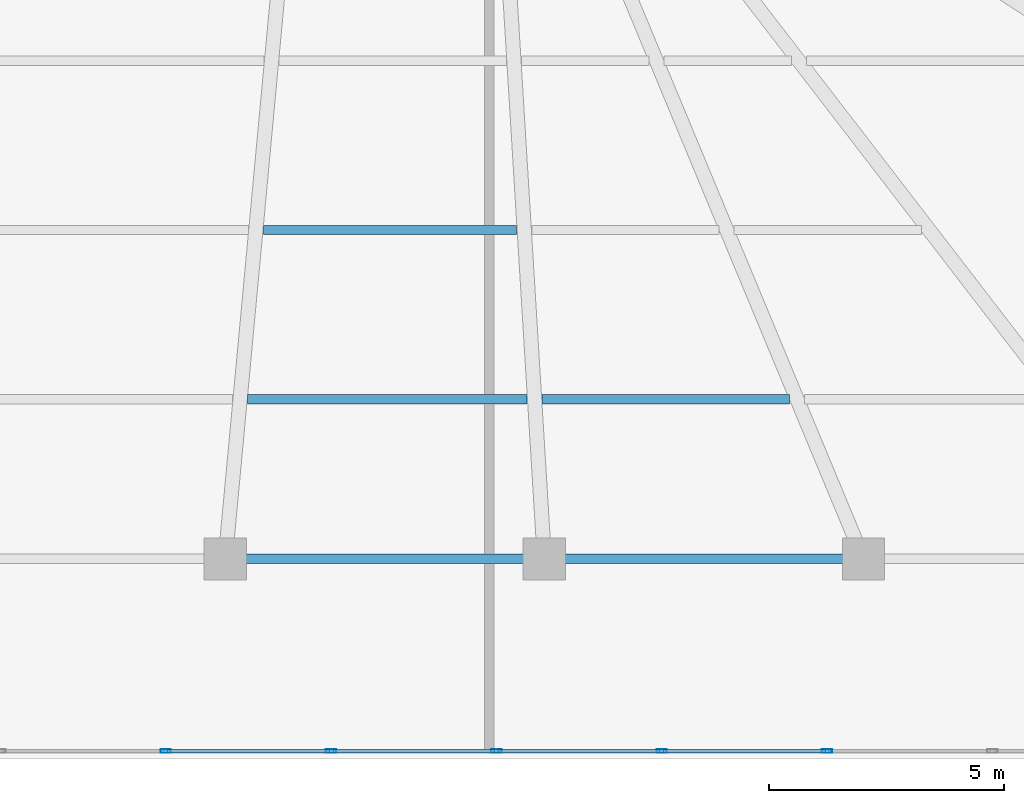
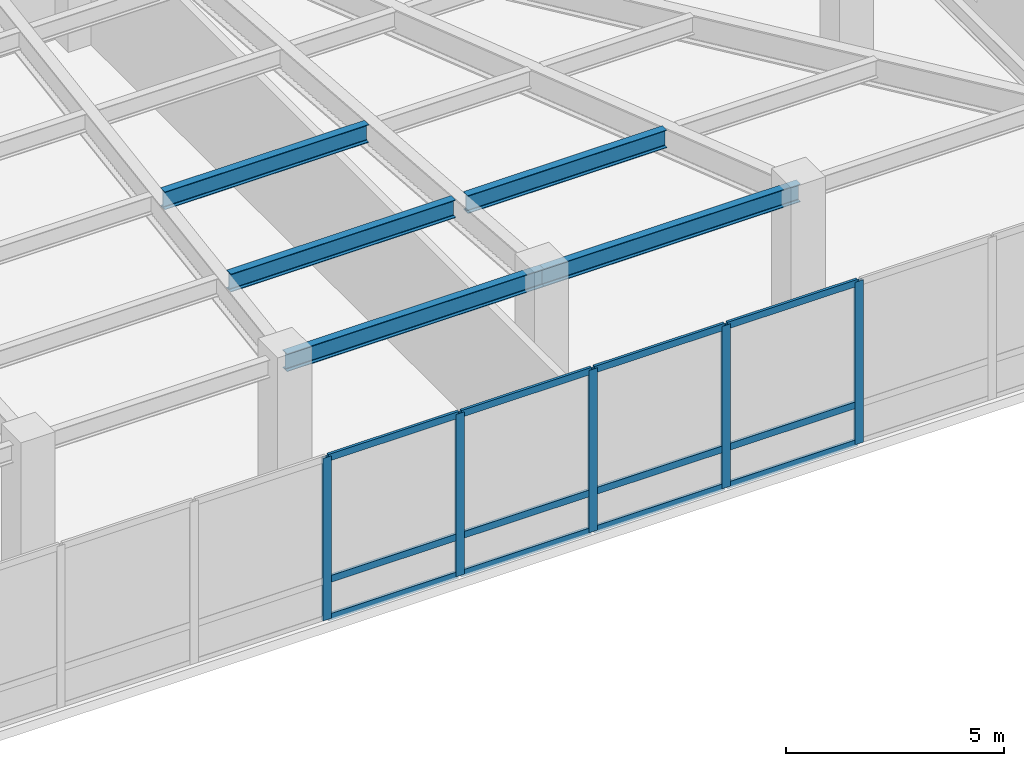
# One storey, part 8 of 19: 17 members, 5 beams, 1 element without a shape of its own.
"""IFC4 building model written with IfcOpenShell, lengths in metres."""

from ifc_helpers import new_model, si_unit, direction, frame, origin, origin_2d, place, context, subcontext, project, spatial, hollow_rectangle, i_section, extrude, material, material_profile, profile_set, type_object, element, aggregate, save


model = new_model("IFC4")

# Units and contexts
model_context = context("Model", 3, precision=1e-05, world=origin(), true_north=direction((0.0, 1.0)))
body_context = subcontext(model_context, "Body", "Model", "MODEL_VIEW")
ifc_project = project(units=[si_unit("LENGTHUNIT", "METRE"), si_unit("AREAUNIT", "SQUARE_METRE"), si_unit("VOLUMEUNIT", "CUBIC_METRE"), si_unit("PLANEANGLEUNIT", "RADIAN"), si_unit("MASSUNIT", "GRAM", prefix="KILO")], contexts=[model_context])

# Site, building, storey
site_placement = place(None, origin())
site = spatial("IfcSite", under=ifc_project, at=site_placement, CompositionType="ELEMENT")
building_placement = place(site_placement, origin())
building = spatial("IfcBuilding", under=site, at=building_placement, Name="Yelkora Congress Tower", CompositionType="ELEMENT")
storey_placement = place(building_placement, frame((0.0, 0.0, 15.60009765625)))
storey = spatial("IfcBuildingStorey", under=building, at=storey_placement, Name="L03", CompositionType="ELEMENT", Elevation=15.60009765625)

# Beams
ifc_material_1 = material(Name="Steel S355J2", Category="steel")
ifc_material_profile_1 = material_profile(ifc_material_1, i_section(OverallWidth=0.199951171875, OverallDepth=0.5, WebThickness=0.01025390625, FlangeThickness=0.01611328125, FilletRadius=0.02099609375, at=origin_2d()), Name="IPE 500")
ifc_profile_set_1 = profile_set([ifc_material_profile_1], Name="Steel S355J2")
beam_type_1 = type_object("IfcBeamType", Name="BM-JOIST-IPE500", PredefinedType="JOIST", material=ifc_profile_set_1)
beam_1_placement = place(storey_placement, frame((52.4560546875, 9.449951171875, 4.289794921875), z_axis=(1.0, 0.0, 0.0), x_axis=(0.0, 1.0, 0.0)))
element("IfcBeam", 1, at=beam_1_placement, inside=storey, type_object=beam_type_1, Name="L03 Composite Floor Joist 8", PredefinedType="JOIST", context=body_context, shape_type="SweptSolid", body=[
    extrude(i_section(OverallWidth=0.199951171875, OverallDepth=0.5, WebThickness=0.01025390625, FlangeThickness=0.01611328125, FilletRadius=0.02099609375, at=origin_2d()), origin(), (0.0, 0.0, 1.0), 5.9462890625),
])
beam_2_placement = place(storey_placement, frame((58.722412109375, 9.449951171875, 4.289794921875), z_axis=(1.0, 0.0, 0.0), x_axis=(0.0, 1.0, 0.0)))
element("IfcBeam", 2, at=beam_2_placement, inside=storey, type_object=beam_type_1, Name="L03 Composite Floor Joist 9", PredefinedType="JOIST", context=body_context, shape_type="SweptSolid", body=[
    extrude(i_section(OverallWidth=0.199951171875, OverallDepth=0.5, WebThickness=0.01025390625, FlangeThickness=0.01611328125, FilletRadius=0.02099609375, at=origin_2d()), origin(), (0.0, 0.0, 1.0), 5.264404296875),
])
beam_3_placement = place(storey_placement, frame((52.790771484375, 13.050048828125, 4.289794921875), z_axis=(1.0, 0.0, 0.0), x_axis=(0.0, 1.0, 0.0)))
element("IfcBeam", 3, at=beam_3_placement, inside=storey, type_object=beam_type_1, Name="L03 Composite Floor Joist 18", PredefinedType="JOIST", context=body_context, shape_type="SweptSolid", body=[
    extrude(i_section(OverallWidth=0.199951171875, OverallDepth=0.5, WebThickness=0.01025390625, FlangeThickness=0.01611328125, FilletRadius=0.02099609375, at=origin_2d()), origin(), (0.0, 0.0, 1.0), 5.3916015625),
])
ifc_material_profile_2 = material_profile(ifc_material_1, i_section(OverallWidth=0.199951171875, OverallDepth=0.5, WebThickness=0.01025390625, FlangeThickness=0.01611328125, FilletRadius=0.02099609375, at=origin_2d()), Name="IPE 500")
ifc_profile_set_2 = profile_set([ifc_material_profile_2], Name="Steel S355J2")
beam_type_2 = type_object("IfcBeamType", Name="BM-SPAN-IPE500B", PredefinedType="BEAM", material=ifc_profile_set_2)
for number, where, z_axis, x_axis, name in (
    (4, (51.97998046875, 6.050048828125, 4.289794921875), (1.0, 0.0, 0.0), (0.0, 1.0, 0.0), "L03 Perimeter Beam 9"),
    (5, (58.77001953125, 6.050048828125, 4.289794921875), (1.0, 0.0, 0.0), (0.0, 1.0, 0.0), "L03 Perimeter Beam 10"),
):
    element("IfcBeam", number, at=place(storey_placement, frame(where, z_axis=z_axis, x_axis=x_axis)), inside=storey, type_object=beam_type_2, Name=name, PredefinedType="BEAM", context=body_context, shape_type="SweptSolid", body=[
        extrude(i_section(OverallWidth=0.199951171875, OverallDepth=0.5, WebThickness=0.01025390625, FlangeThickness=0.01611328125, FilletRadius=0.02099609375, at=origin_2d()), origin(), (0.0, 0.0, 1.0), 6.7900390625),
    ])

# Curtain wall, members
ifc_material_2 = material(Name="Anodised aluminium and insulated glass", Category="aluminium")
curtain_wall_type = type_object("IfcCurtainWallType", Name="CW-SYS-POD", PredefinedType="NOTDEFINED", material=ifc_material_2)
curtain_wall_placement = place(storey_placement, origin())
curtain_wall = element("IfcCurtainWall", 6, at=curtain_wall_placement, inside=storey, type_object=curtain_wall_type, Name="L03 Podium South Curtain Wall", PredefinedType="NOTDEFINED")
ifc_material_3 = material(Name="Anodised aluminium 6063-T6", Category="aluminium")
ifc_material_profile_3 = material_profile(ifc_material_3, hollow_rectangle(XDim=0.074951171875, YDim=0.219970703125, WallThickness=0.0048828125, at=origin_2d()), Name="ALU 75x220x5")
ifc_profile_set_3 = profile_set([ifc_material_profile_3], Name="Anodised aluminium 6063-T6")
member_type_1 = type_object("IfcMemberType", Name="MEM-ML-POD", PredefinedType="MULLION", material=ifc_profile_set_3)
member_1_placement = place(storey_placement, frame((64.78564453125, 1.9599609375, 0.0), z_axis=(0.0, 0.0, 1.0), x_axis=(0.0, -1.0, 0.0)))
member_1 = element("IfcMember", 7, at=member_1_placement, type_object=member_type_1, Name="CW-POD mullion 4", PredefinedType="MULLION", context=body_context, shape_type="SweptSolid", body=[
    extrude(hollow_rectangle(XDim=0.074951171875, YDim=0.219970703125, WallThickness=0.0048828125, at=origin_2d()), origin(), (0.0, 0.0, 1.0), 4.539794921875),
])
member_2_placement = place(storey_placement, frame((61.267578125, 1.9599609375, 0.0), z_axis=(0.0, 0.0, 1.0), x_axis=(0.0, -1.0, 0.0)))
member_2 = element("IfcMember", 8, at=member_2_placement, type_object=member_type_1, Name="CW-POD mullion 5", PredefinedType="MULLION", context=body_context, shape_type="SweptSolid", body=[
    extrude(hollow_rectangle(XDim=0.074951171875, YDim=0.219970703125, WallThickness=0.0048828125, at=origin_2d()), origin(), (0.0, 0.0, 1.0), 4.539794921875),
])
member_3_placement = place(storey_placement, frame((57.74951171875, 1.9599609375, 0.0), z_axis=(0.0, 0.0, 1.0), x_axis=(0.0, -1.0, 0.0)))
member_3 = element("IfcMember", 9, at=member_3_placement, type_object=member_type_1, Name="CW-POD mullion 6", PredefinedType="MULLION", context=body_context, shape_type="SweptSolid", body=[
    extrude(hollow_rectangle(XDim=0.074951171875, YDim=0.219970703125, WallThickness=0.0048828125, at=origin_2d()), origin(), (0.0, 0.0, 1.0), 4.539794921875),
])
member_4_placement = place(storey_placement, frame((54.2314453125, 1.9599609375, 0.0), z_axis=(0.0, 0.0, 1.0), x_axis=(0.0, -1.0, 0.0)))
member_4 = element("IfcMember", 10, at=member_4_placement, type_object=member_type_1, Name="CW-POD mullion 7", PredefinedType="MULLION", context=body_context, shape_type="SweptSolid", body=[
    extrude(hollow_rectangle(XDim=0.074951171875, YDim=0.219970703125, WallThickness=0.0048828125, at=origin_2d()), origin(), (0.0, 0.0, 1.0), 4.539794921875),
])
member_5_placement = place(storey_placement, frame((50.71337890625, 1.9599609375, 0.0), z_axis=(0.0, 0.0, 1.0), x_axis=(0.0, -1.0, 0.0)))
member_5 = element("IfcMember", 11, at=member_5_placement, type_object=member_type_1, Name="CW-POD mullion 8", PredefinedType="MULLION", context=body_context, shape_type="SweptSolid", body=[
    extrude(hollow_rectangle(XDim=0.074951171875, YDim=0.219970703125, WallThickness=0.0048828125, at=origin_2d()), origin(), (0.0, 0.0, 1.0), 4.539794921875),
])
ifc_material_profile_4 = material_profile(ifc_material_3, hollow_rectangle(XDim=0.070068359375, YDim=0.18994140625, WallThickness=0.00390625, at=origin_2d()), Name="ALU 70x190x4")
ifc_profile_set_4 = profile_set([ifc_material_profile_4], Name="Anodised aluminium 6063-T6")
member_type_2 = type_object("IfcMemberType", Name="MEM-TR-POD", PredefinedType="USERDEFINED", material=ifc_profile_set_4)
member_6_placement = place(storey_placement, frame((64.748291015625, 1.9599609375, 0.034912109375), z_axis=(-1.0, 0.0, 0.0), x_axis=(0.0, -1.0, 0.0)))
member_6 = element("IfcMember", 12, at=member_6_placement, type_object=member_type_2, Name="CW-POD transom 4.1", ObjectType="TRANSOM", PredefinedType="USERDEFINED", context=body_context, shape_type="SweptSolid", body=[
    extrude(hollow_rectangle(XDim=0.070068359375, YDim=0.18994140625, WallThickness=0.00390625, at=origin_2d()), origin(), (0.0, 0.0, 1.0), 3.443115234375),
])
member_7_placement = place(storey_placement, frame((64.748291015625, 1.9599609375, 1.099853515625), z_axis=(-1.0, 0.0, 0.0), x_axis=(0.0, -1.0, 0.0)))
member_7 = element("IfcMember", 13, at=member_7_placement, type_object=member_type_2, Name="CW-POD transom 4.2", ObjectType="TRANSOM", PredefinedType="USERDEFINED", context=body_context, shape_type="SweptSolid", body=[
    extrude(hollow_rectangle(XDim=0.070068359375, YDim=0.18994140625, WallThickness=0.00390625, at=origin_2d()), origin(), (0.0, 0.0, 1.0), 3.443115234375),
])
member_8_placement = place(storey_placement, frame((64.748291015625, 1.9599609375, 4.5048828125), z_axis=(-1.0, 0.0, 0.0), x_axis=(0.0, -1.0, 0.0)))
member_8 = element("IfcMember", 14, at=member_8_placement, type_object=member_type_2, Name="CW-POD transom 4.3", ObjectType="TRANSOM", PredefinedType="USERDEFINED", context=body_context, shape_type="SweptSolid", body=[
    extrude(hollow_rectangle(XDim=0.070068359375, YDim=0.18994140625, WallThickness=0.00390625, at=origin_2d()), origin(), (0.0, 0.0, 1.0), 3.443115234375),
])
member_9_placement = place(storey_placement, frame((61.230224609375, 1.9599609375, 0.034912109375), z_axis=(-1.0, 0.0, 0.0), x_axis=(0.0, -1.0, 0.0)))
member_9 = element("IfcMember", 15, at=member_9_placement, type_object=member_type_2, Name="CW-POD transom 5.1", ObjectType="TRANSOM", PredefinedType="USERDEFINED", context=body_context, shape_type="SweptSolid", body=[
    extrude(hollow_rectangle(XDim=0.070068359375, YDim=0.18994140625, WallThickness=0.00390625, at=origin_2d()), origin(), (0.0, 0.0, 1.0), 3.443115234375),
])
member_10_placement = place(storey_placement, frame((61.230224609375, 1.9599609375, 1.099853515625), z_axis=(-1.0, 0.0, 0.0), x_axis=(0.0, -1.0, 0.0)))
member_10 = element("IfcMember", 16, at=member_10_placement, type_object=member_type_2, Name="CW-POD transom 5.2", ObjectType="TRANSOM", PredefinedType="USERDEFINED", context=body_context, shape_type="SweptSolid", body=[
    extrude(hollow_rectangle(XDim=0.070068359375, YDim=0.18994140625, WallThickness=0.00390625, at=origin_2d()), origin(), (0.0, 0.0, 1.0), 3.443115234375),
])
member_11_placement = place(storey_placement, frame((61.230224609375, 1.9599609375, 4.5048828125), z_axis=(-1.0, 0.0, 0.0), x_axis=(0.0, -1.0, 0.0)))
member_11 = element("IfcMember", 17, at=member_11_placement, type_object=member_type_2, Name="CW-POD transom 5.3", ObjectType="TRANSOM", PredefinedType="USERDEFINED", context=body_context, shape_type="SweptSolid", body=[
    extrude(hollow_rectangle(XDim=0.070068359375, YDim=0.18994140625, WallThickness=0.00390625, at=origin_2d()), origin(), (0.0, 0.0, 1.0), 3.443115234375),
])
member_12_placement = place(storey_placement, frame((57.7119140625, 1.9599609375, 0.034912109375), z_axis=(-1.0, 0.0, 0.0), x_axis=(0.0, -1.0, 0.0)))
member_12 = element("IfcMember", 18, at=member_12_placement, type_object=member_type_2, Name="CW-POD transom 6.1", ObjectType="TRANSOM", PredefinedType="USERDEFINED", context=body_context, shape_type="SweptSolid", body=[
    extrude(hollow_rectangle(XDim=0.070068359375, YDim=0.18994140625, WallThickness=0.00390625, at=origin_2d()), origin(), (0.0, 0.0, 1.0), 3.44287109375),
])
member_13_placement = place(storey_placement, frame((57.7119140625, 1.9599609375, 1.099853515625), z_axis=(-1.0, 0.0, 0.0), x_axis=(0.0, -1.0, 0.0)))
member_13 = element("IfcMember", 19, at=member_13_placement, type_object=member_type_2, Name="CW-POD transom 6.2", ObjectType="TRANSOM", PredefinedType="USERDEFINED", context=body_context, shape_type="SweptSolid", body=[
    extrude(hollow_rectangle(XDim=0.070068359375, YDim=0.18994140625, WallThickness=0.00390625, at=origin_2d()), origin(), (0.0, 0.0, 1.0), 3.44287109375),
])
member_14_placement = place(storey_placement, frame((57.7119140625, 1.9599609375, 4.5048828125), z_axis=(-1.0, 0.0, 0.0), x_axis=(0.0, -1.0, 0.0)))
member_14 = element("IfcMember", 20, at=member_14_placement, type_object=member_type_2, Name="CW-POD transom 6.3", ObjectType="TRANSOM", PredefinedType="USERDEFINED", context=body_context, shape_type="SweptSolid", body=[
    extrude(hollow_rectangle(XDim=0.070068359375, YDim=0.18994140625, WallThickness=0.00390625, at=origin_2d()), origin(), (0.0, 0.0, 1.0), 3.44287109375),
])
member_15_placement = place(storey_placement, frame((54.19384765625, 1.9599609375, 0.034912109375), z_axis=(-1.0, 0.0, 0.0), x_axis=(0.0, -1.0, 0.0)))
member_15 = element("IfcMember", 21, at=member_15_placement, type_object=member_type_2, Name="CW-POD transom 7.1", ObjectType="TRANSOM", PredefinedType="USERDEFINED", context=body_context, shape_type="SweptSolid", body=[
    extrude(hollow_rectangle(XDim=0.070068359375, YDim=0.18994140625, WallThickness=0.00390625, at=origin_2d()), origin(), (0.0, 0.0, 1.0), 3.443115234375),
])
member_16_placement = place(storey_placement, frame((54.19384765625, 1.9599609375, 1.099853515625), z_axis=(-1.0, 0.0, 0.0), x_axis=(0.0, -1.0, 0.0)))
member_16 = element("IfcMember", 22, at=member_16_placement, type_object=member_type_2, Name="CW-POD transom 7.2", ObjectType="TRANSOM", PredefinedType="USERDEFINED", context=body_context, shape_type="SweptSolid", body=[
    extrude(hollow_rectangle(XDim=0.070068359375, YDim=0.18994140625, WallThickness=0.00390625, at=origin_2d()), origin(), (0.0, 0.0, 1.0), 3.443115234375),
])
member_17_placement = place(storey_placement, frame((54.19384765625, 1.9599609375, 4.5048828125), z_axis=(-1.0, 0.0, 0.0), x_axis=(0.0, -1.0, 0.0)))
member_17 = element("IfcMember", 23, at=member_17_placement, type_object=member_type_2, Name="CW-POD transom 7.3", ObjectType="TRANSOM", PredefinedType="USERDEFINED", context=body_context, shape_type="SweptSolid", body=[
    extrude(hollow_rectangle(XDim=0.070068359375, YDim=0.18994140625, WallThickness=0.00390625, at=origin_2d()), origin(), (0.0, 0.0, 1.0), 3.443115234375),
])
aggregate(curtain_wall, [member_1, member_2, member_3, member_4, member_5, member_6, member_7, member_8, member_9, member_10, member_11, member_12, member_13, member_14, member_15, member_16, member_17])

save(model, "model.ifc")
